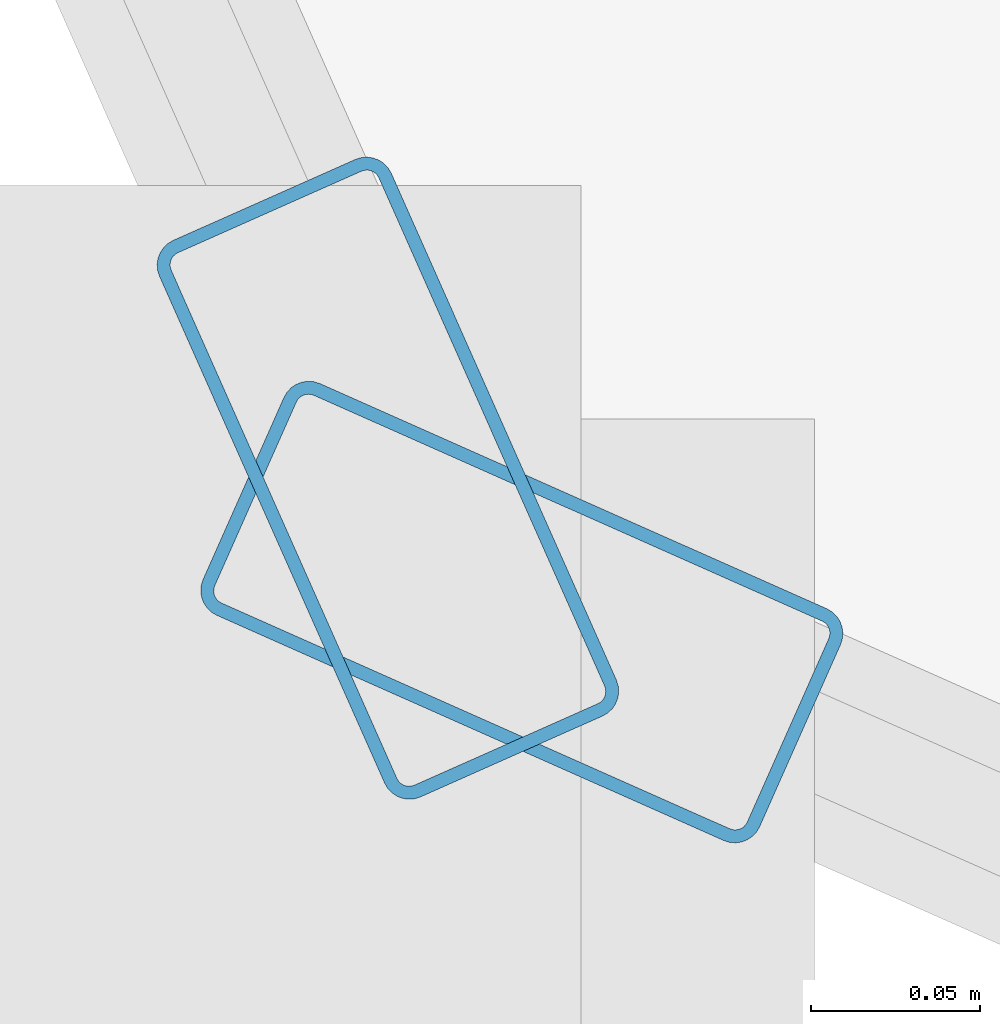
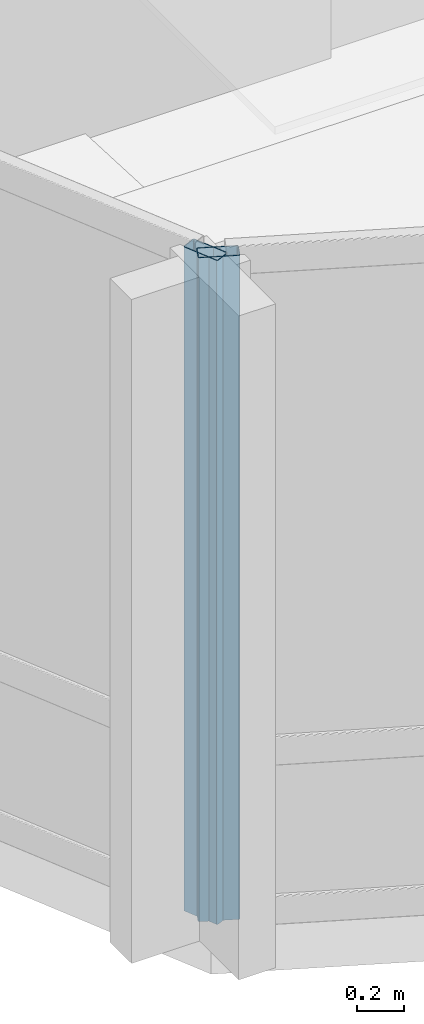
# One storey, part 2 of 29: 2 members, 2 elements without a shape of their own.
"""IFC4 building model written with IfcOpenShell, lengths in metres."""

from ifc_helpers import new_model, si_unit, direction, frame, origin, origin_2d, place, context, subcontext, project, spatial, hollow_rectangle, extrude, material, layer, layer_set, material_profile, profile_set, type_object, element, aggregate, save


model = new_model("IFC4")

# Units and contexts
model_context = context("Model", 3, precision=1e-05, world=origin(), true_north=direction((0.0, 1.0)))
body_context = subcontext(model_context, "Body", "Model", "MODEL_VIEW")
ifc_project = project(units=[si_unit("LENGTHUNIT", "METRE"), si_unit("AREAUNIT", "SQUARE_METRE"), si_unit("VOLUMEUNIT", "CUBIC_METRE"), si_unit("PLANEANGLEUNIT", "RADIAN"), si_unit("MASSUNIT", "GRAM", prefix="KILO")], contexts=[model_context])

# Site, building, storey
site_placement = place(None, origin())
site = spatial("IfcSite", under=ifc_project, at=site_placement, CompositionType="ELEMENT")
building_placement = place(site_placement, origin())
building = spatial("IfcBuilding", under=site, at=building_placement, Name="Solvaryn Broadcast Tower", CompositionType="ELEMENT")
storey_placement = place(building_placement, frame((0.0, 0.0, 147.0)))
storey = spatial("IfcBuildingStorey", under=building, at=storey_placement, Name="L36", CompositionType="ELEMENT", Elevation=147.0)

# Curtain wall, member
ifc_material_1 = material(Name="Aluminium and Terracotta Unitised Curtain Wall", Category="masonry")
ifc_layer = layer(ifc_material_1, 0.199951171875)
ifc_layer_set = layer_set([ifc_layer], Name="CW-SYS2-LOWMID")
curtain_wall_type = type_object("IfcCurtainWallType", Name="CW-SYS2-LOWMID", PredefinedType="NOTDEFINED", material=ifc_layer_set)
curtain_wall_1_placement = place(storey_placement, origin())
curtain_wall_1 = element("IfcCurtainWall", 1, at=curtain_wall_1_placement, inside=storey, type_object=curtain_wall_type, Name="L36 Curtain Wall DR2", PredefinedType="NOTDEFINED")
ifc_material_2 = material(Name="Anodised Aluminium 6063-T6", Category="aluminium")
ifc_material_profile = material_profile(ifc_material_2, hollow_rectangle(XDim=0.074951171875, YDim=0.179931640625, WallThickness=0.00390625, InnerFilletRadius=0.00390625, OuterFilletRadius=0.008056640625, at=origin_2d()))
ifc_profile_set = profile_set([ifc_material_profile], Name="Anodised Aluminium 6063-T6")
member_type = type_object("IfcMemberType", Name="CW-MUL-180", PredefinedType="MULLION", material=ifc_profile_set)
member_1_placement = place(storey_placement, frame((8.895751953125, 8.935302734375, 0.0), z_axis=(0.0, 0.0, 1.0), x_axis=(0.913909311008, 0.405918429309, 0.0)))
member_1 = element("IfcMember", 2, at=member_1_placement, type_object=member_type, Name="CWS2 mullion 2", PredefinedType="MULLION", context=body_context, shape_type="SweptSolid", body=[
    extrude(hollow_rectangle(XDim=0.074951171875, YDim=0.179931640625, WallThickness=0.00390625, InnerFilletRadius=0.00390625, OuterFilletRadius=0.008056640625, at=origin_2d()), origin(), (0.0, 0.0, 1.0), 3.419921875),
])
aggregate(curtain_wall_1, [member_1])

curtain_wall_2_placement = place(storey_placement, origin())
curtain_wall_2 = element("IfcCurtainWall", 3, at=curtain_wall_2_placement, inside=storey, type_object=curtain_wall_type, Name="L36 Curtain Wall DR3", PredefinedType="NOTDEFINED")
member_2_placement = place(storey_placement, frame((8.935302734375, 8.895751953125, 0.0), z_axis=(0.0, 0.0, 1.0), x_axis=(0.405918429309, 0.913909311008, 0.0)))
member_2 = element("IfcMember", 4, at=member_2_placement, type_object=member_type, Name="CWS2 mullion 1", PredefinedType="MULLION", context=body_context, shape_type="SweptSolid", body=[
    extrude(hollow_rectangle(XDim=0.074951171875, YDim=0.179931640625, WallThickness=0.00390625, InnerFilletRadius=0.00390625, OuterFilletRadius=0.008056640625, at=origin_2d()), origin(), (0.0, 0.0, 1.0), 3.419921875),
])
aggregate(curtain_wall_2, [member_2])

save(model, "model.ifc")
